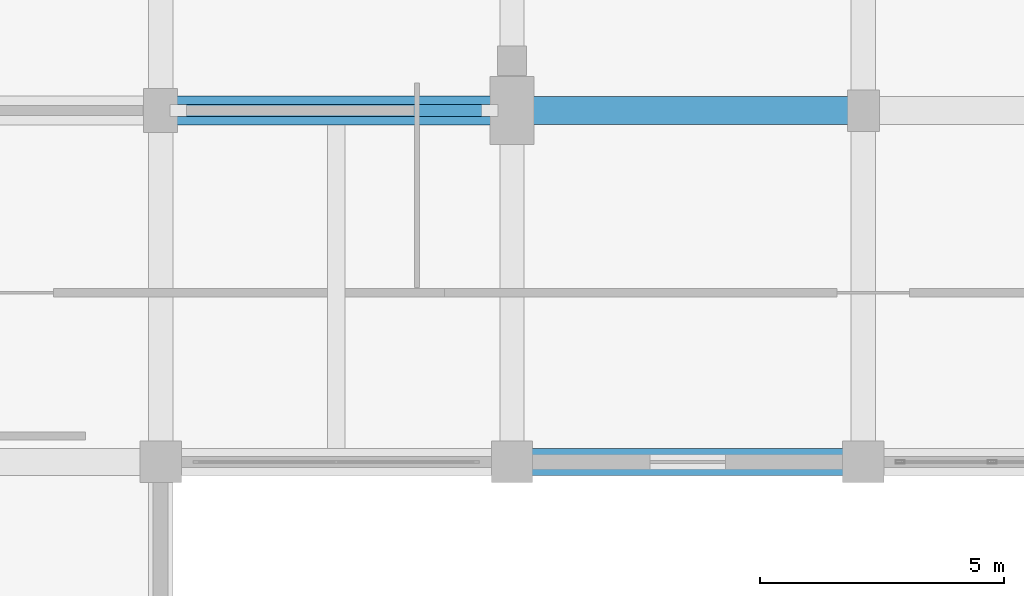
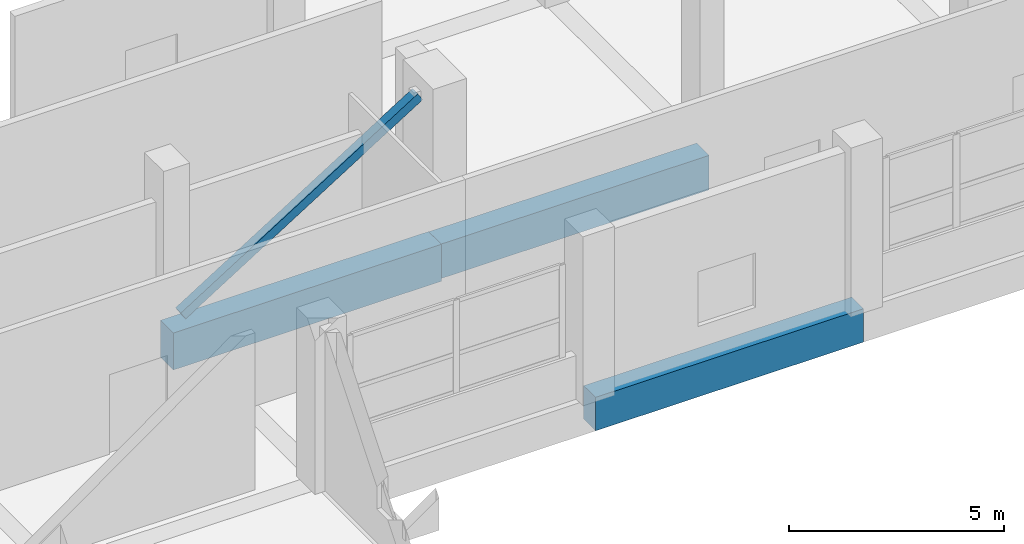
# One storey, part 96 of 181: 3 beams, 1 member.
"""IFC4 building model written with IfcOpenShell, lengths in metres."""

from ifc_helpers import new_model, si_unit, direction, frame, origin, origin_2d, place, context, subcontext, project, spatial, rectangle, hollow_rectangle, extrude, material, material_profile, profile_set, type_object, element, save


model = new_model("IFC4")

# Units and contexts
model_context = context("Model", 3, precision=1e-05, world=origin(), true_north=direction((0.0, 1.0)))
body_context = subcontext(model_context, "Body", "Model", "MODEL_VIEW")
ifc_project = project(units=[si_unit("LENGTHUNIT", "METRE"), si_unit("AREAUNIT", "SQUARE_METRE"), si_unit("VOLUMEUNIT", "CUBIC_METRE"), si_unit("PLANEANGLEUNIT", "RADIAN"), si_unit("MASSUNIT", "GRAM", prefix="KILO")], contexts=[model_context])

# Site, building, storey
site_placement = place(None, origin())
site = spatial("IfcSite", under=ifc_project, at=site_placement, CompositionType="ELEMENT")
building_placement = place(site_placement, origin())
building = spatial("IfcBuilding", under=site, at=building_placement, Name="Seraya Terrace Polytechnic", CompositionType="ELEMENT")
storey_placement = place(building_placement, frame((0.0, 0.0, 4.800048828125)))
storey = spatial("IfcBuildingStorey", under=building, at=storey_placement, Name="L01", CompositionType="ELEMENT", Elevation=4.800048828125)

# Beams
ifc_material_1 = material(Name="Concrete C40/50", Category="concrete")
ifc_material_profile_1 = material_profile(ifc_material_1, rectangle(XDim=0.60009765625, YDim=1.050048828125, at=origin_2d()), Name="RC 600x1050")
ifc_profile_set_1 = profile_set([ifc_material_profile_1], Name="Concrete C40/50")
beam_type_1 = type_object("IfcBeamType", Name="BM-01", PredefinedType="BEAM", material=ifc_profile_set_1)
beam_1_placement = place(storey_placement, frame((108.0, 79.199951171875, -0.525146484375), z_axis=(1.0, 0.0, 0.0), x_axis=(0.0, 1.0, 0.0)))
element("IfcBeam", 1, at=beam_1_placement, inside=storey, type_object=beam_type_1, Name="Beam BM-01 L01 X (108.0..115.2, 79.2)", PredefinedType="BEAM", context=body_context, shape_type="SweptSolid", body=[
    extrude(rectangle(XDim=0.60009765625, YDim=1.050048828125, at=origin_2d()), origin(), (0.0, 0.0, 1.0), 7.199951171875),
])
ifc_material_profile_2 = material_profile(ifc_material_1, rectangle(XDim=0.580078125, YDim=0.97998046875, at=origin_2d()), Name="RC 580x980")
ifc_profile_set_2 = profile_set([ifc_material_profile_2], Name="Concrete C40/50")
beam_type_2 = type_object("IfcBeamType", Name="BM-02", PredefinedType="BEAM", material=ifc_profile_set_2)
beam_2_placement = place(storey_placement, frame((115.199951171875, 79.199951171875, -0.489990234375), z_axis=(1.0, 0.0, 0.0), x_axis=(0.0, 1.0, 0.0)))
element("IfcBeam", 2, at=beam_2_placement, inside=storey, type_object=beam_type_2, Name="Beam BM-02 L01 X (115.2..122.4, 79.2)", PredefinedType="BEAM", context=body_context, shape_type="SweptSolid", body=[
    extrude(rectangle(XDim=0.580078125, YDim=0.97998046875, at=origin_2d()), origin(), (0.0, 0.0, 1.0), 7.199951171875),
])
ifc_material_profile_3 = material_profile(ifc_material_1, rectangle(XDim=0.550048828125, YDim=0.949951171875, at=origin_2d()), Name="RC 550x950")
ifc_profile_set_3 = profile_set([ifc_material_profile_3], Name="Concrete C40/50")
beam_type_3 = type_object("IfcBeamType", Name="BM-03", PredefinedType="BEAM", material=ifc_profile_set_3)
beam_3_placement = place(storey_placement, frame((115.199951171875, 72.0, -0.47509765625), z_axis=(1.0, 0.0, 0.0), x_axis=(0.0, 1.0, 0.0)))
element("IfcBeam", 3, at=beam_3_placement, inside=storey, type_object=beam_type_3, Name="Beam BM-03 L01 X (115.2..122.4, 72.0)", PredefinedType="BEAM", context=body_context, shape_type="SweptSolid", body=[
    extrude(rectangle(XDim=0.550048828125, YDim=0.949951171875, at=origin_2d()), origin(), (0.0, 0.0, 1.0), 7.199951171875),
])

# Member
ifc_material_2 = material(Name="Steel S355J2", Category="steel")
ifc_material_profile_4 = material_profile(ifc_material_2, hollow_rectangle(XDim=0.25, YDim=0.25, WallThickness=0.012451171875, at=origin_2d()), Name="SHS 250x250x12.5")
ifc_profile_set_4 = profile_set([ifc_material_profile_4], Name="Steel S355J2")
member_type = type_object("IfcMemberType", Name="BR-04", PredefinedType="BRACE", material=ifc_profile_set_4)
member_placement = place(storey_placement, frame((108.364990234375, 79.199951171875, 0.25), z_axis=(0.846880470544, 0.0, 0.531783291024), x_axis=(0.0, 1.0, 0.0)))
element("IfcMember", 4, at=member_placement, inside=storey, type_object=member_type, Name="Solid-bay vertical wind brace L01 SE", PredefinedType="BRACE", context=body_context, shape_type="SweptSolid", body=[
    extrude(hollow_rectangle(XDim=0.25, YDim=0.25, WallThickness=0.012451171875, at=origin_2d()), origin(), (0.0, 0.0, 1.0), 7.52197265625),
])

save(model, "model.ifc")
